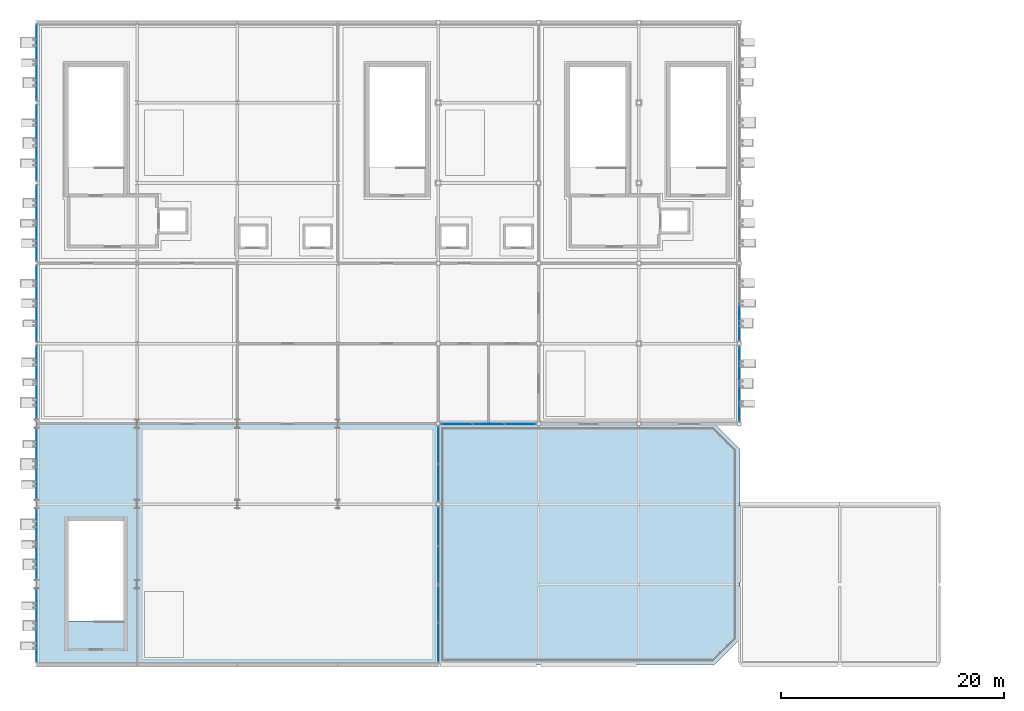
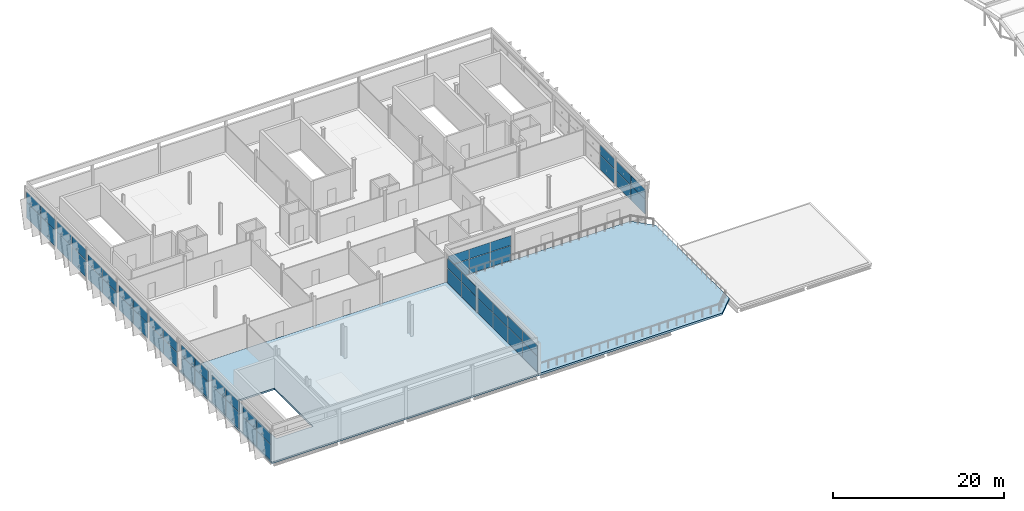
# One storey, part 41 of 52: 56 plates, 2 slabs, 14 elements without a shape of their own.
"""IFC4 building model written with IfcOpenShell, lengths in metres."""

from ifc_helpers import new_model, si_unit, direction, frame, origin, origin_2d, place, context, subcontext, project, spatial, polyline, rectangle, outline, extrude, material, layer, layer_set, type_object, element, aggregate, save


model = new_model("IFC4")

# Units and contexts
model_context = context("Model", 3, precision=1e-05, world=origin(), true_north=direction((0.0, 1.0)))
body_context = subcontext(model_context, "Body", "Model", "MODEL_VIEW")
ifc_project = project(units=[si_unit("LENGTHUNIT", "METRE"), si_unit("AREAUNIT", "SQUARE_METRE"), si_unit("VOLUMEUNIT", "CUBIC_METRE"), si_unit("PLANEANGLEUNIT", "RADIAN"), si_unit("MASSUNIT", "GRAM", prefix="KILO")], contexts=[model_context])

# Site, building, storey
site_placement = place(None, origin())
site = spatial("IfcSite", under=ifc_project, at=site_placement, CompositionType="ELEMENT")
building_placement = place(site_placement, origin())
building = spatial("IfcBuilding", under=site, at=building_placement, Name="Celestram Park Convention Centre", CompositionType="ELEMENT")
storey_placement = place(building_placement, frame((0.0, 0.0, 24.300048828125)))
storey = spatial("IfcBuildingStorey", under=building, at=storey_placement, Name="L05", CompositionType="ELEMENT", Elevation=24.300048828125)

# Curtain wall, plates
ifc_material_1 = material(Name="Anodised Aluminium Alloy 6063-T6", Category="aluminium")
ifc_layer_1 = layer(ifc_material_1, 0.179931640625)
ifc_layer_set_1 = layer_set([ifc_layer_1], Name="Anodised Aluminium Alloy 6063-T6")
curtain_wall_type_1 = type_object("IfcCurtainWallType", Name="ARC-CW-663X390", PredefinedType="NOTDEFINED", material=ifc_layer_set_1)
curtain_wall_1_placement = place(storey_placement, origin())
curtain_wall_1 = element("IfcCurtainWall", 1, at=curtain_wall_1_placement, inside=storey, type_object=curtain_wall_type_1, Name="Unitised curtain wall CU-L05-243", PredefinedType="NOTDEFINED")
ifc_material_2 = material(Name="Insulated Glazing Unit 28 mm", Category="glass")
ifc_layer_2 = layer(ifc_material_2, 0.028076171875)
ifc_layer_set_2 = layer_set([ifc_layer_2], Name="Insulated Glazing Unit 28 mm")
plate_type_1 = type_object("IfcPlateType", Name="ARC-CWP-IGU28", PredefinedType="CURTAIN_PANEL", material=ifc_layer_set_2)
plate_1_placement = place(storey_placement, frame((36.0, 109.858642578125, 0.06005859375), z_axis=(0.0, 0.0, 1.0), x_axis=(0.0, 1.0, 0.0)))
plate_1 = element("IfcPlate", 2, at=plate_1_placement, type_object=plate_type_1, Name="CW-66X39 panel 1.1", PredefinedType="CURTAIN_PANEL", context=body_context, shape_type="SweptSolid", body=[
    extrude(rectangle(XDim=3.21826171875, YDim=0.028076171875, at=origin_2d()), origin(), (0.0, 0.0, 1.0), 2.251953125),
])
plate_2_placement = place(storey_placement, frame((36.0, 109.858642578125, 2.3720703125), z_axis=(0.0, 0.0, 1.0), x_axis=(0.0, 1.0, 0.0)))
plate_2 = element("IfcPlate", 3, at=plate_2_placement, type_object=plate_type_1, Name="CW-66X39 panel 1.2", PredefinedType="CURTAIN_PANEL", context=body_context, shape_type="SweptSolid", body=[
    extrude(rectangle(XDim=3.21826171875, YDim=0.028076171875, at=origin_2d()), origin(), (0.0, 0.0, 1.0), 1.471923828125),
])
plate_3_placement = place(storey_placement, frame((36.0, 113.141845703125, 0.06005859375), z_axis=(0.0, 0.0, 1.0), x_axis=(0.0, 1.0, 0.0)))
plate_3 = element("IfcPlate", 4, at=plate_3_placement, type_object=plate_type_1, Name="CW-66X39 panel 2.1", PredefinedType="CURTAIN_PANEL", context=body_context, shape_type="SweptSolid", body=[
    extrude(rectangle(XDim=3.21826171875, YDim=0.028076171875, at=origin_2d()), origin(), (0.0, 0.0, 1.0), 2.251953125),
])
plate_4_placement = place(storey_placement, frame((36.0, 113.141845703125, 2.3720703125), z_axis=(0.0, 0.0, 1.0), x_axis=(0.0, 1.0, 0.0)))
plate_4 = element("IfcPlate", 5, at=plate_4_placement, type_object=plate_type_1, Name="CW-66X39 panel 2.2", PredefinedType="CURTAIN_PANEL", context=body_context, shape_type="SweptSolid", body=[
    extrude(rectangle(XDim=3.21826171875, YDim=0.028076171875, at=origin_2d()), origin(), (0.0, 0.0, 1.0), 1.471923828125),
])
aggregate(curtain_wall_1, [plate_1, plate_2, plate_3, plate_4])

ifc_layer_3 = layer(ifc_material_1, 0.179931640625)
ifc_layer_set_3 = layer_set([ifc_layer_3], Name="Anodised Aluminium Alloy 6063-T6")
curtain_wall_type_2 = type_object("IfcCurtainWallType", Name="ARC-CW-643X401", PredefinedType="NOTDEFINED", material=ifc_layer_set_3)
curtain_wall_2_placement = place(storey_placement, origin())
curtain_wall_2 = element("IfcCurtainWall", 6, at=curtain_wall_2_placement, inside=storey, type_object=curtain_wall_type_2, Name="Unitised curtain wall CU-L05-244", PredefinedType="NOTDEFINED")
plate_5_placement = place(storey_placement, frame((36.0, 117.208251953125, 0.06005859375), z_axis=(0.0, 0.0, 1.0), x_axis=(0.0, 1.0, 0.0)))
plate_5 = element("IfcPlate", 7, at=plate_5_placement, type_object=plate_type_1, Name="CW-64X40 panel 1.1", PredefinedType="CURTAIN_PANEL", context=body_context, shape_type="SweptSolid", body=[
    extrude(rectangle(XDim=3.118408203125, YDim=0.028076171875, at=origin_2d()), origin(), (0.0, 0.0, 1.0), 2.31591796875),
])
plate_6_placement = place(storey_placement, frame((36.0, 117.208251953125, 2.43603515625), z_axis=(0.0, 0.0, 1.0), x_axis=(0.0, 1.0, 0.0)))
plate_6 = element("IfcPlate", 8, at=plate_6_placement, type_object=plate_type_1, Name="CW-64X40 panel 1.2", PredefinedType="CURTAIN_PANEL", context=body_context, shape_type="SweptSolid", body=[
    extrude(rectangle(XDim=3.118408203125, YDim=0.028076171875, at=origin_2d()), origin(), (0.0, 0.0, 1.0), 1.513916015625),
])
plate_7_placement = place(storey_placement, frame((36.0, 120.391845703125, 0.06005859375), z_axis=(0.0, 0.0, 1.0), x_axis=(0.0, 1.0, 0.0)))
plate_7 = element("IfcPlate", 9, at=plate_7_placement, type_object=plate_type_1, Name="CW-64X40 panel 2.1", PredefinedType="CURTAIN_PANEL", context=body_context, shape_type="SweptSolid", body=[
    extrude(rectangle(XDim=3.118408203125, YDim=0.028076171875, at=origin_2d()), origin(), (0.0, 0.0, 1.0), 2.31591796875),
])
plate_8_placement = place(storey_placement, frame((36.0, 120.391845703125, 2.43603515625), z_axis=(0.0, 0.0, 1.0), x_axis=(0.0, 1.0, 0.0)))
plate_8 = element("IfcPlate", 10, at=plate_8_placement, type_object=plate_type_1, Name="CW-64X40 panel 2.2", PredefinedType="CURTAIN_PANEL", context=body_context, shape_type="SweptSolid", body=[
    extrude(rectangle(XDim=3.118408203125, YDim=0.028076171875, at=origin_2d()), origin(), (0.0, 0.0, 1.0), 1.513916015625),
])
aggregate(curtain_wall_2, [plate_5, plate_6, plate_7, plate_8])

curtain_wall_3_placement = place(storey_placement, origin())
curtain_wall_3 = element("IfcCurtainWall", 11, at=curtain_wall_3_placement, inside=storey, type_object=curtain_wall_type_2, Name="Unitised curtain wall CU-L05-245", PredefinedType="NOTDEFINED")
plate_9_placement = place(storey_placement, frame((36.0, 124.408203125, 0.06005859375), z_axis=(0.0, 0.0, 1.0), x_axis=(0.0, 1.0, 0.0)))
plate_9 = element("IfcPlate", 12, at=plate_9_placement, type_object=plate_type_1, Name="CW-64X40 panel 1.1", PredefinedType="CURTAIN_PANEL", context=body_context, shape_type="SweptSolid", body=[
    extrude(rectangle(XDim=3.118408203125, YDim=0.028076171875, at=origin_2d()), origin(), (0.0, 0.0, 1.0), 2.31591796875),
])
plate_10_placement = place(storey_placement, frame((36.0, 124.408203125, 2.43603515625), z_axis=(0.0, 0.0, 1.0), x_axis=(0.0, 1.0, 0.0)))
plate_10 = element("IfcPlate", 13, at=plate_10_placement, type_object=plate_type_1, Name="CW-64X40 panel 1.2", PredefinedType="CURTAIN_PANEL", context=body_context, shape_type="SweptSolid", body=[
    extrude(rectangle(XDim=3.118408203125, YDim=0.028076171875, at=origin_2d()), origin(), (0.0, 0.0, 1.0), 1.513916015625),
])
plate_11_placement = place(storey_placement, frame((36.0, 127.591796875, 0.06005859375), z_axis=(0.0, 0.0, 1.0), x_axis=(0.0, 1.0, 0.0)))
plate_11 = element("IfcPlate", 14, at=plate_11_placement, type_object=plate_type_1, Name="CW-64X40 panel 2.1", PredefinedType="CURTAIN_PANEL", context=body_context, shape_type="SweptSolid", body=[
    extrude(rectangle(XDim=3.118408203125, YDim=0.028076171875, at=origin_2d()), origin(), (0.0, 0.0, 1.0), 2.31591796875),
])
plate_12_placement = place(storey_placement, frame((36.0, 127.591796875, 2.43603515625), z_axis=(0.0, 0.0, 1.0), x_axis=(0.0, 1.0, 0.0)))
plate_12 = element("IfcPlate", 15, at=plate_12_placement, type_object=plate_type_1, Name="CW-64X40 panel 2.2", PredefinedType="CURTAIN_PANEL", context=body_context, shape_type="SweptSolid", body=[
    extrude(rectangle(XDim=3.118408203125, YDim=0.028076171875, at=origin_2d()), origin(), (0.0, 0.0, 1.0), 1.513916015625),
])
aggregate(curtain_wall_3, [plate_9, plate_10, plate_11, plate_12])

ifc_layer_4 = layer(ifc_material_1, 0.179931640625)
ifc_layer_set_4 = layer_set([ifc_layer_4], Name="Anodised Aluminium Alloy 6063-T6")
curtain_wall_type_3 = type_object("IfcCurtainWallType", Name="ARC-CW-666X365", PredefinedType="NOTDEFINED", material=ifc_layer_set_4)
curtain_wall_4_placement = place(storey_placement, origin())
curtain_wall_4 = element("IfcCurtainWall", 16, at=curtain_wall_4_placement, inside=storey, type_object=curtain_wall_type_3, Name="Unitised curtain wall CU-L05-246", PredefinedType="NOTDEFINED")
plate_13_placement = place(storey_placement, frame((36.0, 131.666259765625, 0.059814453125), z_axis=(0.0, 0.0, 1.0), x_axis=(0.0, 1.0, 0.0)))
plate_13 = element("IfcPlate", 17, at=plate_13_placement, type_object=plate_type_1, Name="CW-66X36 panel 1.1", PredefinedType="CURTAIN_PANEL", context=body_context, shape_type="SweptSolid", body=[
    extrude(rectangle(XDim=3.23486328125, YDim=0.028076171875, at=origin_2d()), origin(), (0.0, 0.0, 1.0), 2.09912109375),
])
plate_14_placement = place(storey_placement, frame((36.0, 131.666259765625, 2.21923828125), z_axis=(0.0, 0.0, 1.0), x_axis=(0.0, 1.0, 0.0)))
plate_14 = element("IfcPlate", 18, at=plate_14_placement, type_object=plate_type_1, Name="CW-66X36 panel 1.2", PredefinedType="CURTAIN_PANEL", context=body_context, shape_type="SweptSolid", body=[
    extrude(rectangle(XDim=3.23486328125, YDim=0.028076171875, at=origin_2d()), origin(), (0.0, 0.0, 1.0), 1.368896484375),
])
plate_15_placement = place(storey_placement, frame((36.0, 134.966064453125, 0.059814453125), z_axis=(0.0, 0.0, 1.0), x_axis=(0.0, 1.0, 0.0)))
plate_15 = element("IfcPlate", 19, at=plate_15_placement, type_object=plate_type_1, Name="CW-66X36 panel 2.1", PredefinedType="CURTAIN_PANEL", context=body_context, shape_type="SweptSolid", body=[
    extrude(rectangle(XDim=3.23486328125, YDim=0.028076171875, at=origin_2d()), origin(), (0.0, 0.0, 1.0), 2.09912109375),
])
plate_16_placement = place(storey_placement, frame((36.0, 134.966064453125, 2.21923828125), z_axis=(0.0, 0.0, 1.0), x_axis=(0.0, 1.0, 0.0)))
plate_16 = element("IfcPlate", 20, at=plate_16_placement, type_object=plate_type_1, Name="CW-66X36 panel 2.2", PredefinedType="CURTAIN_PANEL", context=body_context, shape_type="SweptSolid", body=[
    extrude(rectangle(XDim=3.23486328125, YDim=0.028076171875, at=origin_2d()), origin(), (0.0, 0.0, 1.0), 1.368896484375),
])
aggregate(curtain_wall_4, [plate_13, plate_14, plate_15, plate_16])

ifc_layer_5 = layer(ifc_material_1, 0.179931640625)
ifc_layer_set_5 = layer_set([ifc_layer_5], Name="Anodised Aluminium Alloy 6063-T6")
curtain_wall_type_4 = type_object("IfcCurtainWallType", Name="ARC-CW-690X365", PredefinedType="NOTDEFINED", material=ifc_layer_set_5)
curtain_wall_5_placement = place(storey_placement, origin())
curtain_wall_5 = element("IfcCurtainWall", 21, at=curtain_wall_5_placement, inside=storey, type_object=curtain_wall_type_4, Name="Unitised curtain wall CU-L05-247", PredefinedType="NOTDEFINED")
plate_17_placement = place(storey_placement, frame((36.0, 138.69189453125, 0.059814453125), z_axis=(0.0, 0.0, 1.0), x_axis=(0.0, 1.0, 0.0)))
plate_17 = element("IfcPlate", 22, at=plate_17_placement, type_object=plate_type_1, Name="CW-69X36 panel 1.1", PredefinedType="CURTAIN_PANEL", context=body_context, shape_type="SweptSolid", body=[
    extrude(rectangle(XDim=3.35107421875, YDim=0.028076171875, at=origin_2d()), origin(), (0.0, 0.0, 1.0), 2.09912109375),
])
plate_18_placement = place(storey_placement, frame((36.0, 138.69189453125, 2.21923828125), z_axis=(0.0, 0.0, 1.0), x_axis=(0.0, 1.0, 0.0)))
plate_18 = element("IfcPlate", 23, at=plate_18_placement, type_object=plate_type_1, Name="CW-69X36 panel 1.2", PredefinedType="CURTAIN_PANEL", context=body_context, shape_type="SweptSolid", body=[
    extrude(rectangle(XDim=3.35107421875, YDim=0.028076171875, at=origin_2d()), origin(), (0.0, 0.0, 1.0), 1.368896484375),
])
plate_19_placement = place(storey_placement, frame((36.0, 142.10791015625, 0.059814453125), z_axis=(0.0, 0.0, 1.0), x_axis=(0.0, 1.0, 0.0)))
plate_19 = element("IfcPlate", 24, at=plate_19_placement, type_object=plate_type_1, Name="CW-69X36 panel 2.1", PredefinedType="CURTAIN_PANEL", context=body_context, shape_type="SweptSolid", body=[
    extrude(rectangle(XDim=3.35107421875, YDim=0.028076171875, at=origin_2d()), origin(), (0.0, 0.0, 1.0), 2.09912109375),
])
plate_20_placement = place(storey_placement, frame((36.0, 142.10791015625, 2.21923828125), z_axis=(0.0, 0.0, 1.0), x_axis=(0.0, 1.0, 0.0)))
plate_20 = element("IfcPlate", 25, at=plate_20_placement, type_object=plate_type_1, Name="CW-69X36 panel 2.2", PredefinedType="CURTAIN_PANEL", context=body_context, shape_type="SweptSolid", body=[
    extrude(rectangle(XDim=3.35107421875, YDim=0.028076171875, at=origin_2d()), origin(), (0.0, 0.0, 1.0), 1.368896484375),
])
aggregate(curtain_wall_5, [plate_17, plate_18, plate_19, plate_20])

curtain_wall_6_placement = place(storey_placement, origin())
curtain_wall_6 = element("IfcCurtainWall", 26, at=curtain_wall_6_placement, inside=storey, type_object=curtain_wall_type_4, Name="Unitised curtain wall CU-L05-248", PredefinedType="NOTDEFINED")
plate_21_placement = place(storey_placement, frame((36.0, 145.89208984375, 0.059814453125), z_axis=(0.0, 0.0, 1.0), x_axis=(0.0, 1.0, 0.0)))
plate_21 = element("IfcPlate", 27, at=plate_21_placement, type_object=plate_type_1, Name="CW-69X36 panel 1.1", PredefinedType="CURTAIN_PANEL", context=body_context, shape_type="SweptSolid", body=[
    extrude(rectangle(XDim=3.35107421875, YDim=0.028076171875, at=origin_2d()), origin(), (0.0, 0.0, 1.0), 2.09912109375),
])
plate_22_placement = place(storey_placement, frame((36.0, 145.89208984375, 2.21923828125), z_axis=(0.0, 0.0, 1.0), x_axis=(0.0, 1.0, 0.0)))
plate_22 = element("IfcPlate", 28, at=plate_22_placement, type_object=plate_type_1, Name="CW-69X36 panel 1.2", PredefinedType="CURTAIN_PANEL", context=body_context, shape_type="SweptSolid", body=[
    extrude(rectangle(XDim=3.35107421875, YDim=0.028076171875, at=origin_2d()), origin(), (0.0, 0.0, 1.0), 1.368896484375),
])
plate_23_placement = place(storey_placement, frame((36.0, 149.30810546875, 0.059814453125), z_axis=(0.0, 0.0, 1.0), x_axis=(0.0, 1.0, 0.0)))
plate_23 = element("IfcPlate", 29, at=plate_23_placement, type_object=plate_type_1, Name="CW-69X36 panel 2.1", PredefinedType="CURTAIN_PANEL", context=body_context, shape_type="SweptSolid", body=[
    extrude(rectangle(XDim=3.35107421875, YDim=0.028076171875, at=origin_2d()), origin(), (0.0, 0.0, 1.0), 2.09912109375),
])
plate_24_placement = place(storey_placement, frame((36.0, 149.30810546875, 2.21923828125), z_axis=(0.0, 0.0, 1.0), x_axis=(0.0, 1.0, 0.0)))
plate_24 = element("IfcPlate", 30, at=plate_24_placement, type_object=plate_type_1, Name="CW-69X36 panel 2.2", PredefinedType="CURTAIN_PANEL", context=body_context, shape_type="SweptSolid", body=[
    extrude(rectangle(XDim=3.35107421875, YDim=0.028076171875, at=origin_2d()), origin(), (0.0, 0.0, 1.0), 1.368896484375),
])
aggregate(curtain_wall_6, [plate_21, plate_22, plate_23, plate_24])

ifc_layer_6 = layer(ifc_material_1, 0.179931640625)
ifc_layer_set_6 = layer_set([ifc_layer_6], Name="Anodised Aluminium Alloy 6063-T6")
curtain_wall_type_5 = type_object("IfcCurtainWallType", Name="ARC-CW-690X401", PredefinedType="NOTDEFINED", material=ifc_layer_set_6)
curtain_wall_7_placement = place(storey_placement, origin())
curtain_wall_7 = element("IfcCurtainWall", 31, at=curtain_wall_7_placement, inside=storey, type_object=curtain_wall_type_5, Name="Unitised curtain wall CU-L05-249", PredefinedType="NOTDEFINED")
plate_25_placement = place(storey_placement, frame((36.0, 153.092041015625, 0.06005859375), z_axis=(0.0, 0.0, 1.0), x_axis=(0.0, 1.0, 0.0)))
plate_25 = element("IfcPlate", 32, at=plate_25_placement, type_object=plate_type_1, Name="CW-69X40 panel 1.1", PredefinedType="CURTAIN_PANEL", context=body_context, shape_type="SweptSolid", body=[
    extrude(rectangle(XDim=3.35107421875, YDim=0.028076171875, at=origin_2d()), origin(), (0.0, 0.0, 1.0), 2.31591796875),
])
plate_26_placement = place(storey_placement, frame((36.0, 153.092041015625, 2.43603515625), z_axis=(0.0, 0.0, 1.0), x_axis=(0.0, 1.0, 0.0)))
plate_26 = element("IfcPlate", 33, at=plate_26_placement, type_object=plate_type_1, Name="CW-69X40 panel 1.2", PredefinedType="CURTAIN_PANEL", context=body_context, shape_type="SweptSolid", body=[
    extrude(rectangle(XDim=3.35107421875, YDim=0.028076171875, at=origin_2d()), origin(), (0.0, 0.0, 1.0), 1.513916015625),
])
plate_27_placement = place(storey_placement, frame((36.0, 156.508056640625, 0.06005859375), z_axis=(0.0, 0.0, 1.0), x_axis=(0.0, 1.0, 0.0)))
plate_27 = element("IfcPlate", 34, at=plate_27_placement, type_object=plate_type_1, Name="CW-69X40 panel 2.1", PredefinedType="CURTAIN_PANEL", context=body_context, shape_type="SweptSolid", body=[
    extrude(rectangle(XDim=3.35107421875, YDim=0.028076171875, at=origin_2d()), origin(), (0.0, 0.0, 1.0), 2.31591796875),
])
plate_28_placement = place(storey_placement, frame((36.0, 156.508056640625, 2.43603515625), z_axis=(0.0, 0.0, 1.0), x_axis=(0.0, 1.0, 0.0)))
plate_28 = element("IfcPlate", 35, at=plate_28_placement, type_object=plate_type_1, Name="CW-69X40 panel 2.2", PredefinedType="CURTAIN_PANEL", context=body_context, shape_type="SweptSolid", body=[
    extrude(rectangle(XDim=3.35107421875, YDim=0.028076171875, at=origin_2d()), origin(), (0.0, 0.0, 1.0), 1.513916015625),
])
aggregate(curtain_wall_7, [plate_25, plate_26, plate_27, plate_28])

ifc_layer_7 = layer(ifc_material_1, 0.179931640625)
ifc_layer_set_7 = layer_set([ifc_layer_7], Name="Anodised Aluminium Alloy 6063-T6")
curtain_wall_type_6 = type_object("IfcCurtainWallType", Name="ARC-CW-690X390", PredefinedType="NOTDEFINED", material=ifc_layer_set_7)
curtain_wall_8_placement = place(storey_placement, origin())
curtain_wall_8 = element("IfcCurtainWall", 36, at=curtain_wall_8_placement, inside=storey, type_object=curtain_wall_type_6, Name="Unitised curtain wall CU-L05-250", PredefinedType="NOTDEFINED")
plate_29_placement = place(storey_placement, frame((36.0, 160.2919921875, 0.06005859375), z_axis=(0.0, 0.0, 1.0), x_axis=(0.0, 1.0, 0.0)))
plate_29 = element("IfcPlate", 37, at=plate_29_placement, type_object=plate_type_1, Name="CW-69X39 panel 1.1", PredefinedType="CURTAIN_PANEL", context=body_context, shape_type="SweptSolid", body=[
    extrude(rectangle(XDim=3.35107421875, YDim=0.028076171875, at=origin_2d()), origin(), (0.0, 0.0, 1.0), 2.251953125),
])
plate_30_placement = place(storey_placement, frame((36.0, 160.2919921875, 2.3720703125), z_axis=(0.0, 0.0, 1.0), x_axis=(0.0, 1.0, 0.0)))
plate_30 = element("IfcPlate", 38, at=plate_30_placement, type_object=plate_type_1, Name="CW-69X39 panel 1.2", PredefinedType="CURTAIN_PANEL", context=body_context, shape_type="SweptSolid", body=[
    extrude(rectangle(XDim=3.35107421875, YDim=0.028076171875, at=origin_2d()), origin(), (0.0, 0.0, 1.0), 1.471923828125),
])
plate_31_placement = place(storey_placement, frame((36.0, 163.7080078125, 0.06005859375), z_axis=(0.0, 0.0, 1.0), x_axis=(0.0, 1.0, 0.0)))
plate_31 = element("IfcPlate", 39, at=plate_31_placement, type_object=plate_type_1, Name="CW-69X39 panel 2.1", PredefinedType="CURTAIN_PANEL", context=body_context, shape_type="SweptSolid", body=[
    extrude(rectangle(XDim=3.35107421875, YDim=0.028076171875, at=origin_2d()), origin(), (0.0, 0.0, 1.0), 2.251953125),
])
plate_32_placement = place(storey_placement, frame((36.0, 163.7080078125, 2.3720703125), z_axis=(0.0, 0.0, 1.0), x_axis=(0.0, 1.0, 0.0)))
plate_32 = element("IfcPlate", 40, at=plate_32_placement, type_object=plate_type_1, Name="CW-69X39 panel 2.2", PredefinedType="CURTAIN_PANEL", context=body_context, shape_type="SweptSolid", body=[
    extrude(rectangle(XDim=3.35107421875, YDim=0.028076171875, at=origin_2d()), origin(), (0.0, 0.0, 1.0), 1.471923828125),
])
aggregate(curtain_wall_8, [plate_29, plate_30, plate_31, plate_32])

ifc_layer_8 = layer(ifc_material_1, 0.179931640625)
ifc_layer_set_8 = layer_set([ifc_layer_8], Name="Anodised Aluminium Alloy 6063-T6")
curtain_wall_type_7 = type_object("IfcCurtainWallType", Name="ARC-CW-680X365", PredefinedType="NOTDEFINED", material=ifc_layer_set_8)
curtain_wall_9_placement = place(storey_placement, origin())
curtain_wall_9 = element("IfcCurtainWall", 41, at=curtain_wall_9_placement, inside=storey, type_object=curtain_wall_type_7, Name="Unitised curtain wall CU-L05-254", PredefinedType="NOTDEFINED")
plate_33_placement = place(storey_placement, frame((99.0, 138.7158203125, 0.059814453125), z_axis=(0.0, 0.0, 1.0), x_axis=(0.0, -1.0, 0.0)))
plate_33 = element("IfcPlate", 42, at=plate_33_placement, type_object=plate_type_1, Name="CW-68X36 panel 2.1", PredefinedType="CURTAIN_PANEL", context=body_context, shape_type="SweptSolid", body=[
    extrude(rectangle(XDim=3.303466796875, YDim=0.028076171875, at=origin_2d()), origin(), (0.0, 0.0, 1.0), 2.09912109375),
])
plate_34_placement = place(storey_placement, frame((99.0, 138.7158203125, 2.21923828125), z_axis=(0.0, 0.0, 1.0), x_axis=(0.0, -1.0, 0.0)))
plate_34 = element("IfcPlate", 43, at=plate_34_placement, type_object=plate_type_1, Name="CW-68X36 panel 2.2", PredefinedType="CURTAIN_PANEL", context=body_context, shape_type="SweptSolid", body=[
    extrude(rectangle(XDim=3.303466796875, YDim=0.028076171875, at=origin_2d()), origin(), (0.0, 0.0, 1.0), 1.368896484375),
])
aggregate(curtain_wall_9, [plate_33, plate_34])

curtain_wall_10_placement = place(storey_placement, origin())
curtain_wall_10 = element("IfcCurtainWall", 44, at=curtain_wall_10_placement, inside=storey, type_object=curtain_wall_type_7, Name="Unitised curtain wall CU-L05-255", PredefinedType="NOTDEFINED")
plate_35_placement = place(storey_placement, frame((99.0, 134.88427734375, 0.059814453125), z_axis=(0.0, 0.0, 1.0), x_axis=(0.0, -1.0, 0.0)))
plate_35 = element("IfcPlate", 45, at=plate_35_placement, type_object=plate_type_1, Name="CW-68X36 panel 1.1", PredefinedType="CURTAIN_PANEL", context=body_context, shape_type="SweptSolid", body=[
    extrude(rectangle(XDim=3.303466796875, YDim=0.028076171875, at=origin_2d()), origin(), (0.0, 0.0, 1.0), 2.09912109375),
])
plate_36_placement = place(storey_placement, frame((99.0, 134.88427734375, 2.21923828125), z_axis=(0.0, 0.0, 1.0), x_axis=(0.0, -1.0, 0.0)))
plate_36 = element("IfcPlate", 46, at=plate_36_placement, type_object=plate_type_1, Name="CW-68X36 panel 1.2", PredefinedType="CURTAIN_PANEL", context=body_context, shape_type="SweptSolid", body=[
    extrude(rectangle(XDim=3.303466796875, YDim=0.028076171875, at=origin_2d()), origin(), (0.0, 0.0, 1.0), 1.368896484375),
])
plate_37_placement = place(storey_placement, frame((99.0, 131.515869140625, 0.059814453125), z_axis=(0.0, 0.0, 1.0), x_axis=(0.0, -1.0, 0.0)))
plate_37 = element("IfcPlate", 47, at=plate_37_placement, type_object=plate_type_1, Name="CW-68X36 panel 2.1", PredefinedType="CURTAIN_PANEL", context=body_context, shape_type="SweptSolid", body=[
    extrude(rectangle(XDim=3.303466796875, YDim=0.028076171875, at=origin_2d()), origin(), (0.0, 0.0, 1.0), 2.09912109375),
])
plate_38_placement = place(storey_placement, frame((99.0, 131.515869140625, 2.21923828125), z_axis=(0.0, 0.0, 1.0), x_axis=(0.0, -1.0, 0.0)))
plate_38 = element("IfcPlate", 48, at=plate_38_placement, type_object=plate_type_1, Name="CW-68X36 panel 2.2", PredefinedType="CURTAIN_PANEL", context=body_context, shape_type="SweptSolid", body=[
    extrude(rectangle(XDim=3.303466796875, YDim=0.028076171875, at=origin_2d()), origin(), (0.0, 0.0, 1.0), 1.368896484375),
])
aggregate(curtain_wall_10, [plate_35, plate_36, plate_37, plate_38])

curtain_wall_11_placement = place(storey_placement, origin())
curtain_wall_11 = element("IfcCurtainWall", 49, at=curtain_wall_11_placement, inside=storey, type_object=curtain_wall_type_7, Name="Unitised curtain wall CU-L05-257", PredefinedType="NOTDEFINED")
plate_39_placement = place(storey_placement, frame((72.0, 127.684326171875, 0.059814453125), z_axis=(0.0, 0.0, 1.0), x_axis=(0.0, -1.0, 0.0)))
plate_39 = element("IfcPlate", 50, at=plate_39_placement, type_object=plate_type_1, Name="CW-68X36 panel 1.1", PredefinedType="CURTAIN_PANEL", context=body_context, shape_type="SweptSolid", body=[
    extrude(rectangle(XDim=3.303466796875, YDim=0.028076171875, at=origin_2d()), origin(), (0.0, 0.0, 1.0), 2.09912109375),
])
plate_40_placement = place(storey_placement, frame((72.0, 127.684326171875, 2.21923828125), z_axis=(0.0, 0.0, 1.0), x_axis=(0.0, -1.0, 0.0)))
plate_40 = element("IfcPlate", 51, at=plate_40_placement, type_object=plate_type_1, Name="CW-68X36 panel 1.2", PredefinedType="CURTAIN_PANEL", context=body_context, shape_type="SweptSolid", body=[
    extrude(rectangle(XDim=3.303466796875, YDim=0.028076171875, at=origin_2d()), origin(), (0.0, 0.0, 1.0), 1.368896484375),
])
plate_41_placement = place(storey_placement, frame((72.0, 124.315673828125, 0.059814453125), z_axis=(0.0, 0.0, 1.0), x_axis=(0.0, -1.0, 0.0)))
plate_41 = element("IfcPlate", 52, at=plate_41_placement, type_object=plate_type_1, Name="CW-68X36 panel 2.1", PredefinedType="CURTAIN_PANEL", context=body_context, shape_type="SweptSolid", body=[
    extrude(rectangle(XDim=3.303466796875, YDim=0.028076171875, at=origin_2d()), origin(), (0.0, 0.0, 1.0), 2.09912109375),
])
plate_42_placement = place(storey_placement, frame((72.0, 124.315673828125, 2.21923828125), z_axis=(0.0, 0.0, 1.0), x_axis=(0.0, -1.0, 0.0)))
plate_42 = element("IfcPlate", 53, at=plate_42_placement, type_object=plate_type_1, Name="CW-68X36 panel 2.2", PredefinedType="CURTAIN_PANEL", context=body_context, shape_type="SweptSolid", body=[
    extrude(rectangle(XDim=3.303466796875, YDim=0.028076171875, at=origin_2d()), origin(), (0.0, 0.0, 1.0), 1.368896484375),
])
aggregate(curtain_wall_11, [plate_39, plate_40, plate_41, plate_42])

ifc_layer_9 = layer(ifc_material_1, 0.179931640625)
ifc_layer_set_9 = layer_set([ifc_layer_9], Name="Anodised Aluminium Alloy 6063-T6")
curtain_wall_type_8 = type_object("IfcCurtainWallType", Name="ARC-CW-713X365", PredefinedType="NOTDEFINED", material=ifc_layer_set_9)
curtain_wall_12_placement = place(storey_placement, origin())
curtain_wall_12 = element("IfcCurtainWall", 54, at=curtain_wall_12_placement, inside=storey, type_object=curtain_wall_type_8, Name="Unitised curtain wall CU-L05-258", PredefinedType="NOTDEFINED")
plate_43_placement = place(storey_placement, frame((72.0, 120.402099609375, 0.059814453125), z_axis=(0.0, 0.0, 1.0), x_axis=(0.0, -1.0, 0.0)))
plate_43 = element("IfcPlate", 55, at=plate_43_placement, type_object=plate_type_1, Name="CW-71X36 panel 1.1", PredefinedType="CURTAIN_PANEL", context=body_context, shape_type="SweptSolid", body=[
    extrude(rectangle(XDim=3.468017578125, YDim=0.028076171875, at=origin_2d()), origin(), (0.0, 0.0, 1.0), 2.09912109375),
])
plate_44_placement = place(storey_placement, frame((72.0, 120.402099609375, 2.21923828125), z_axis=(0.0, 0.0, 1.0), x_axis=(0.0, -1.0, 0.0)))
plate_44 = element("IfcPlate", 56, at=plate_44_placement, type_object=plate_type_1, Name="CW-71X36 panel 1.2", PredefinedType="CURTAIN_PANEL", context=body_context, shape_type="SweptSolid", body=[
    extrude(rectangle(XDim=3.468017578125, YDim=0.028076171875, at=origin_2d()), origin(), (0.0, 0.0, 1.0), 1.368896484375),
])
plate_45_placement = place(storey_placement, frame((72.0, 116.868896484375, 0.059814453125), z_axis=(0.0, 0.0, 1.0), x_axis=(0.0, -1.0, 0.0)))
plate_45 = element("IfcPlate", 57, at=plate_45_placement, type_object=plate_type_1, Name="CW-71X36 panel 2.1", PredefinedType="CURTAIN_PANEL", context=body_context, shape_type="SweptSolid", body=[
    extrude(rectangle(XDim=3.468017578125, YDim=0.028076171875, at=origin_2d()), origin(), (0.0, 0.0, 1.0), 2.09912109375),
])
plate_46_placement = place(storey_placement, frame((72.0, 116.868896484375, 2.21923828125), z_axis=(0.0, 0.0, 1.0), x_axis=(0.0, -1.0, 0.0)))
plate_46 = element("IfcPlate", 58, at=plate_46_placement, type_object=plate_type_1, Name="CW-71X36 panel 2.2", PredefinedType="CURTAIN_PANEL", context=body_context, shape_type="SweptSolid", body=[
    extrude(rectangle(XDim=3.468017578125, YDim=0.028076171875, at=origin_2d()), origin(), (0.0, 0.0, 1.0), 1.368896484375),
])
aggregate(curtain_wall_12, [plate_43, plate_44, plate_45, plate_46])

ifc_layer_10 = layer(ifc_material_1, 0.179931640625)
ifc_layer_set_10 = layer_set([ifc_layer_10], Name="Anodised Aluminium Alloy 6063-T6")
curtain_wall_type_9 = type_object("IfcCurtainWallType", Name="ARC-CW-715X390", PredefinedType="NOTDEFINED", material=ifc_layer_set_10)
curtain_wall_13_placement = place(storey_placement, origin())
curtain_wall_13 = element("IfcCurtainWall", 59, at=curtain_wall_13_placement, inside=storey, type_object=curtain_wall_type_9, Name="Unitised curtain wall CU-L05-259", PredefinedType="NOTDEFINED")
plate_47_placement = place(storey_placement, frame((72.0, 113.52734375, 0.06005859375), z_axis=(0.0, 0.0, 1.0), x_axis=(0.0, -1.0, 0.0)))
plate_47 = element("IfcPlate", 60, at=plate_47_placement, type_object=plate_type_1, Name="CW-71X39 panel 1.1", PredefinedType="CURTAIN_PANEL", context=body_context, shape_type="SweptSolid", body=[
    extrude(rectangle(XDim=3.475341796875, YDim=0.028076171875, at=origin_2d()), origin(), (0.0, 0.0, 1.0), 2.251953125),
])
plate_48_placement = place(storey_placement, frame((72.0, 113.52734375, 2.3720703125), z_axis=(0.0, 0.0, 1.0), x_axis=(0.0, -1.0, 0.0)))
plate_48 = element("IfcPlate", 61, at=plate_48_placement, type_object=plate_type_1, Name="CW-71X39 panel 1.2", PredefinedType="CURTAIN_PANEL", context=body_context, shape_type="SweptSolid", body=[
    extrude(rectangle(XDim=3.475341796875, YDim=0.028076171875, at=origin_2d()), origin(), (0.0, 0.0, 1.0), 1.471923828125),
])
plate_49_placement = place(storey_placement, frame((72.0, 109.987060546875, 0.06005859375), z_axis=(0.0, 0.0, 1.0), x_axis=(0.0, -1.0, 0.0)))
plate_49 = element("IfcPlate", 62, at=plate_49_placement, type_object=plate_type_1, Name="CW-71X39 panel 2.1", PredefinedType="CURTAIN_PANEL", context=body_context, shape_type="SweptSolid", body=[
    extrude(rectangle(XDim=3.475341796875, YDim=0.028076171875, at=origin_2d()), origin(), (0.0, 0.0, 1.0), 2.251953125),
])
plate_50_placement = place(storey_placement, frame((72.0, 109.987060546875, 2.3720703125), z_axis=(0.0, 0.0, 1.0), x_axis=(0.0, -1.0, 0.0)))
plate_50 = element("IfcPlate", 63, at=plate_50_placement, type_object=plate_type_1, Name="CW-71X39 panel 2.2", PredefinedType="CURTAIN_PANEL", context=body_context, shape_type="SweptSolid", body=[
    extrude(rectangle(XDim=3.475341796875, YDim=0.028076171875, at=origin_2d()), origin(), (0.0, 0.0, 1.0), 1.471923828125),
])
aggregate(curtain_wall_13, [plate_47, plate_48, plate_49, plate_50])

ifc_layer_11 = layer(ifc_material_1, 0.179931640625)
ifc_layer_set_11 = layer_set([ifc_layer_11], Name="Anodised Aluminium Alloy 6063-T6")
curtain_wall_type_10 = type_object("IfcCurtainWallType", Name="ARC-CW-860X365", PredefinedType="NOTDEFINED", material=ifc_layer_set_11)
curtain_wall_14_placement = place(storey_placement, origin())
curtain_wall_14 = element("IfcCurtainWall", 64, at=curtain_wall_14_placement, inside=storey, type_object=curtain_wall_type_10, Name="Unitised curtain wall CU-L05-256", PredefinedType="NOTDEFINED")
ifc_material_3 = material(Name="Insulated Glazing Unit 38 mm", Category="glass")
ifc_layer_12 = layer(ifc_material_3, 0.0380859375)
ifc_layer_set_12 = layer_set([ifc_layer_12], Name="Insulated Glazing Unit 38 mm")
plate_type_2 = type_object("IfcPlateType", Name="ARC-CWP-IGU38", PredefinedType="CURTAIN_PANEL", material=ifc_layer_set_12)
plate_51_placement = place(storey_placement, frame((79.3486328125, 129.60009765625, 0.06494140625), z_axis=(0.0, 0.0, 1.0), x_axis=(-1.0, 0.0, 0.0)))
plate_51 = element("IfcPlate", 65, at=plate_51_placement, type_object=plate_type_2, Name="CW-86X36 panel 1.1", PredefinedType="CURTAIN_PANEL", context=body_context, shape_type="SweptSolid", body=[
    extrude(rectangle(XDim=2.7548828125, YDim=0.0380859375, at=origin_2d()), origin(), (0.0, 0.0, 1.0), 2.091552734375),
])
plate_52_placement = place(storey_placement, frame((79.3486328125, 129.60009765625, 2.22119140625), z_axis=(0.0, 0.0, 1.0), x_axis=(-1.0, 0.0, 0.0)))
plate_52 = element("IfcPlate", 66, at=plate_52_placement, type_object=plate_type_2, Name="CW-86X36 panel 1.2", PredefinedType="CURTAIN_PANEL", context=body_context, shape_type="SweptSolid", body=[
    extrude(rectangle(XDim=2.7548828125, YDim=0.0380859375, at=origin_2d()), origin(), (0.0, 0.0, 1.0), 1.361572265625),
])
plate_53_placement = place(storey_placement, frame((76.5, 129.60009765625, 0.06494140625), z_axis=(0.0, 0.0, 1.0), x_axis=(-1.0, 0.0, 0.0)))
plate_53 = element("IfcPlate", 67, at=plate_53_placement, type_object=plate_type_2, Name="CW-86X36 panel 2.1", PredefinedType="CURTAIN_PANEL", context=body_context, shape_type="SweptSolid", body=[
    extrude(rectangle(XDim=2.792236328125, YDim=0.0380859375, at=origin_2d()), origin(), (0.0, 0.0, 1.0), 2.091552734375),
])
plate_54_placement = place(storey_placement, frame((76.5, 129.60009765625, 2.22119140625), z_axis=(0.0, 0.0, 1.0), x_axis=(-1.0, 0.0, 0.0)))
plate_54 = element("IfcPlate", 68, at=plate_54_placement, type_object=plate_type_2, Name="CW-86X36 panel 2.2", PredefinedType="CURTAIN_PANEL", context=body_context, shape_type="SweptSolid", body=[
    extrude(rectangle(XDim=2.792236328125, YDim=0.0380859375, at=origin_2d()), origin(), (0.0, 0.0, 1.0), 1.361572265625),
])
plate_55_placement = place(storey_placement, frame((73.6513671875, 129.60009765625, 0.06494140625), z_axis=(0.0, 0.0, 1.0), x_axis=(-1.0, 0.0, 0.0)))
plate_55 = element("IfcPlate", 69, at=plate_55_placement, type_object=plate_type_2, Name="CW-86X36 panel 3.1", PredefinedType="CURTAIN_PANEL", context=body_context, shape_type="SweptSolid", body=[
    extrude(rectangle(XDim=2.7548828125, YDim=0.0380859375, at=origin_2d()), origin(), (0.0, 0.0, 1.0), 2.091552734375),
])
plate_56_placement = place(storey_placement, frame((73.6513671875, 129.60009765625, 2.22119140625), z_axis=(0.0, 0.0, 1.0), x_axis=(-1.0, 0.0, 0.0)))
plate_56 = element("IfcPlate", 70, at=plate_56_placement, type_object=plate_type_2, Name="CW-86X36 panel 3.2", PredefinedType="CURTAIN_PANEL", context=body_context, shape_type="SweptSolid", body=[
    extrude(rectangle(XDim=2.7548828125, YDim=0.0380859375, at=origin_2d()), origin(), (0.0, 0.0, 1.0), 1.361572265625),
])
aggregate(curtain_wall_14, [plate_51, plate_52, plate_53, plate_54, plate_55, plate_56])

# Slabs
ifc_material_4 = material(Name="Concrete C35/45", Category="concrete")
ifc_layer_13 = layer(ifc_material_4, 0.239990234375)
ifc_layer_set_13 = layer_set([ifc_layer_13], Name="Concrete C35/45")
slab_type_1 = type_object("IfcSlabType", Name="STR-SLB-FLR240", PredefinedType="FLOOR", material=ifc_layer_set_13)
slab_1_placement = place(storey_placement, frame((0.0, 0.0, -0.239990234375)))
element("IfcSlab", 71, at=slab_1_placement, inside=storey, type_object=slab_type_1, Name="Floor slab L05-WST", PredefinedType="FLOOR", context=body_context, shape_type="SweptSolid", body=[
    extrude(outline(polyline([(36.0, 108.0), (36.0, 129.60009765625), (72.0, 129.60009765625), (72.0, 108.0), (36.0, 108.0)]), holes=[polyline([(38.840087890625, 120.89990234375), (38.840087890625, 111.906005859375), (43.800048828125, 111.906005859375), (43.800048828125, 120.89990234375), (38.840087890625, 120.89990234375)])]), origin(), (0.0, 0.0, 1.0), 0.239990234375),
])
ifc_layer_14 = layer(ifc_material_4, 0.300048828125)
ifc_layer_set_14 = layer_set([ifc_layer_14], Name="Concrete C35/45")
slab_type_2 = type_object("IfcSlabType", Name="STR-SLB-TER300", PredefinedType="FLOOR", material=ifc_layer_set_14)
slab_2_placement = place(storey_placement, frame((0.0, 0.0, -0.300048828125)))
element("IfcSlab", 72, at=slab_2_placement, inside=storey, type_object=slab_type_2, Name="Planted Roof Terrace TR-L05-S", PredefinedType="FLOOR", context=body_context, shape_type="SweptSolid", body=[
    extrude(outline(polyline([(72.0, 108.0), (96.800048828125, 108.0), (99.0, 110.199951171875), (99.0, 127.39990234375), (96.800048828125, 129.60009765625), (72.0, 129.60009765625), (72.0, 108.0)])), origin(), (0.0, 0.0, 1.0), 0.300048828125),
])

save(model, "model.ifc")
